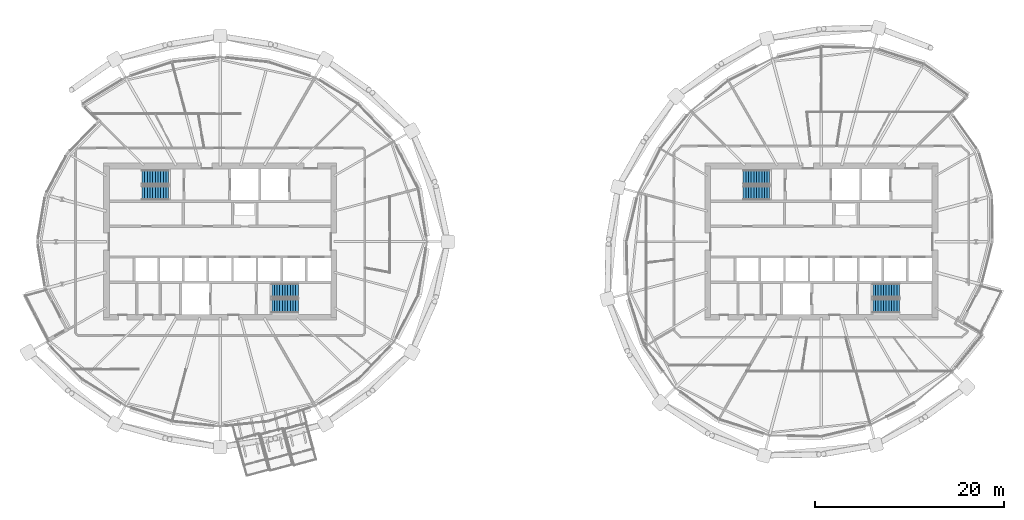
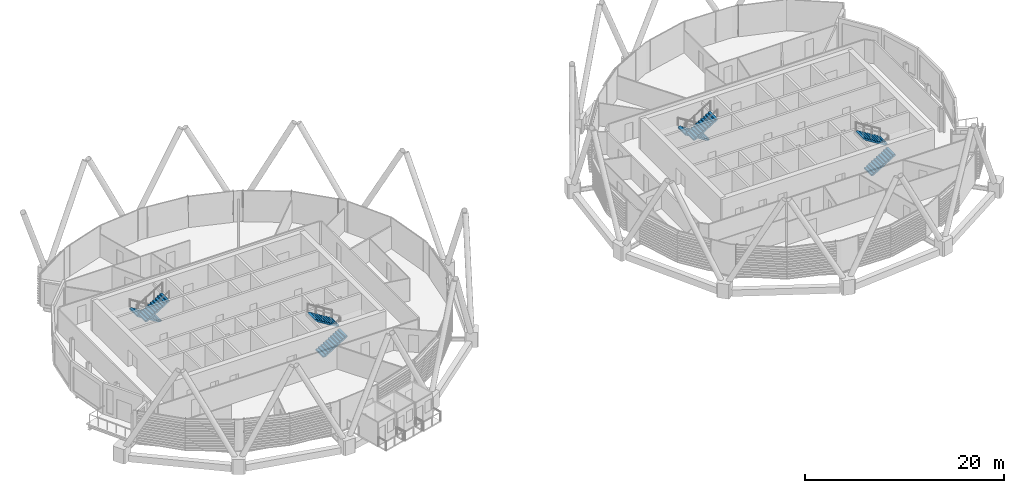
# One storey, part 29 of 35: 8 stair flights, 4 elements without a shape of their own.
"""IFC4 building model written with IfcOpenShell, lengths in metres."""

from ifc_helpers import new_model, si_unit, direction, frame, origin, place, context, subcontext, project, spatial, polyline, outline, extrude, material, type_object, element, aggregate, save


model = new_model("IFC4")

# Units and contexts
model_context = context("Model", 3, precision=1e-05, world=origin(), true_north=direction((0.0, 1.0)))
body_context = subcontext(model_context, "Body", "Model", "MODEL_VIEW")
ifc_project = project(units=[si_unit("LENGTHUNIT", "METRE"), si_unit("AREAUNIT", "SQUARE_METRE"), si_unit("VOLUMEUNIT", "CUBIC_METRE"), si_unit("PLANEANGLEUNIT", "RADIAN"), si_unit("MASSUNIT", "GRAM", prefix="KILO")], contexts=[model_context])

# Site, building, storey
site_placement = place(None, origin())
site = spatial("IfcSite", under=ifc_project, at=site_placement, CompositionType="ELEMENT")
building_placement = place(site_placement, origin())
building = spatial("IfcBuilding", under=site, at=building_placement, Name="Rimbun Link Towers", CompositionType="ELEMENT")
storey_placement = place(building_placement, frame((0.0, 0.0, 181.699951171875)))
storey = spatial("IfcBuildingStorey", under=building, at=storey_placement, Name="L44", CompositionType="ELEMENT", Elevation=181.699951171875)

# Stair, stair flights
ifc_material_1 = material(Name="Concrete C40/50", Category="concrete")
stair_type = type_object("IfcStairType", Name="Exit stair 3800 rise", PredefinedType="HALF_TURN_STAIR", material=ifc_material_1)
stair_1_placement = place(storey_placement, origin())
stair_1 = element("IfcStair", 1, at=stair_1_placement, inside=storey, type_object=stair_type, Name="L44 EXIT STAIR A", PredefinedType="HALF_TURN_STAIR")
ifc_material_2 = material(Name="Concrete C40/50", Category="concrete")
stair_flight_type = type_object("IfcStairFlightType", Name="Exit stair flight 3800 rise", PredefinedType="STRAIGHT", material=ifc_material_2)
stair_flight_1_placement = place(storey_placement, frame((-37.199951171875, 6.800048828125, 0.0), z_axis=(0.0, 0.0, 1.0), x_axis=(-1.0, 0.0, 0.0)))
stair_flight_1 = element("IfcStairFlight", 2, at=stair_flight_1_placement, type_object=stair_flight_type, Name="ST1 flight 1", NumberOfRisers=11, NumberOfTreads=10, PredefinedType="STRAIGHT", RiserHeight=0.172727273, TreadLength=0.28, context=body_context, shape_type="SweptSolid", body=[
    extrude(outline(polyline([(0.0, 0.0), (0.0, 0.172607421875), (0.280029296875, 0.172607421875), (0.280029296875, 0.345458984375), (0.56005859375, 0.345458984375), (0.56005859375, 0.51806640625), (0.840087890625, 0.51806640625), (0.840087890625, 0.69091796875), (1.1201171875, 0.69091796875), (1.1201171875, 0.863525390625), (1.39990234375, 0.863525390625), (1.39990234375, 1.036376953125), (1.679931640625, 1.036376953125), (1.679931640625, 1.208984375), (1.9599609375, 1.208984375), (1.9599609375, 1.3818359375), (2.239990234375, 1.3818359375), (2.239990234375, 1.554443359375), (2.52001953125, 1.554443359375), (2.52001953125, 1.727294921875), (2.800048828125, 1.727294921875), (2.800048828125, 1.89990234375), (2.800048828125, 1.551025390625), (0.280029296875, 0.0), (0.0, 0.0)])), frame((0.0, 0.75, 0.0), z_axis=(0.0, -1.0, 0.0), x_axis=(1.0, 0.0, 0.0)), (0.0, 0.0, 1.0), 1.5),
])
stair_flight_2_placement = place(storey_placement, frame((-40.0, 5.14990234375, 1.900146484375), z_axis=(0.0, 0.0, 1.0), x_axis=(1.0, 0.0, 0.0)))
stair_flight_2 = element("IfcStairFlight", 3, at=stair_flight_2_placement, type_object=stair_flight_type, Name="ST1 flight 2", NumberOfRisers=11, NumberOfTreads=10, PredefinedType="STRAIGHT", RiserHeight=0.172727273, TreadLength=0.28, context=body_context, shape_type="SweptSolid", body=[
    extrude(outline(polyline([(0.0, 0.0), (0.0, 0.172607421875), (0.280029296875, 0.172607421875), (0.280029296875, 0.345458984375), (0.56005859375, 0.345458984375), (0.56005859375, 0.51806640625), (0.840087890625, 0.51806640625), (0.840087890625, 0.69091796875), (1.1201171875, 0.69091796875), (1.1201171875, 0.863525390625), (1.39990234375, 0.863525390625), (1.39990234375, 1.036376953125), (1.679931640625, 1.036376953125), (1.679931640625, 1.208984375), (1.9599609375, 1.208984375), (1.9599609375, 1.3818359375), (2.239990234375, 1.3818359375), (2.239990234375, 1.554443359375), (2.52001953125, 1.554443359375), (2.52001953125, 1.727294921875), (2.800048828125, 1.727294921875), (2.800048828125, 1.89990234375), (2.800048828125, 1.551025390625), (0.280029296875, 0.0), (0.0, 0.0)])), frame((0.0, 0.75, 0.0), z_axis=(0.0, -1.0, 0.0), x_axis=(1.0, 0.0, 0.0)), (0.0, 0.0, 1.0), 1.5),
])
aggregate(stair_1, [stair_flight_1, stair_flight_2])

stair_2_placement = place(storey_placement, origin())
stair_2 = element("IfcStair", 4, at=stair_2_placement, inside=storey, type_object=stair_type, Name="L44 EXIT STAIR B", PredefinedType="HALF_TURN_STAIR")
stair_flight_3_placement = place(storey_placement, frame((-26.300048828125, -6.800048828125, 0.0), z_axis=(0.0, 0.0, 1.0), x_axis=(1.0, 0.0, 0.0)))
stair_flight_3 = element("IfcStairFlight", 5, at=stair_flight_3_placement, type_object=stair_flight_type, Name="ST2 flight 1", NumberOfRisers=11, NumberOfTreads=10, PredefinedType="STRAIGHT", RiserHeight=0.172727273, TreadLength=0.28, context=body_context, shape_type="SweptSolid", body=[
    extrude(outline(polyline([(0.0, 0.0), (0.0, 0.172607421875), (0.280029296875, 0.172607421875), (0.280029296875, 0.345458984375), (0.56005859375, 0.345458984375), (0.56005859375, 0.51806640625), (0.840087890625, 0.51806640625), (0.840087890625, 0.69091796875), (1.1201171875, 0.69091796875), (1.1201171875, 0.863525390625), (1.39990234375, 0.863525390625), (1.39990234375, 1.036376953125), (1.679931640625, 1.036376953125), (1.679931640625, 1.208984375), (1.9599609375, 1.208984375), (1.9599609375, 1.3818359375), (2.239990234375, 1.3818359375), (2.239990234375, 1.554443359375), (2.52001953125, 1.554443359375), (2.52001953125, 1.727294921875), (2.800048828125, 1.727294921875), (2.800048828125, 1.89990234375), (2.800048828125, 1.551025390625), (0.280029296875, 0.0), (0.0, 0.0)])), frame((0.0, 0.75, 0.0), z_axis=(0.0, -1.0, 0.0), x_axis=(1.0, 0.0, 0.0)), (0.0, 0.0, 1.0), 1.5),
])
stair_flight_4_placement = place(storey_placement, frame((-23.5, -5.14990234375, 1.900146484375), z_axis=(0.0, 0.0, 1.0), x_axis=(-1.0, 0.0, 0.0)))
stair_flight_4 = element("IfcStairFlight", 6, at=stair_flight_4_placement, type_object=stair_flight_type, Name="ST2 flight 2", NumberOfRisers=11, NumberOfTreads=10, PredefinedType="STRAIGHT", RiserHeight=0.172727273, TreadLength=0.28, context=body_context, shape_type="SweptSolid", body=[
    extrude(outline(polyline([(0.0, 0.0), (0.0, 0.172607421875), (0.280029296875, 0.172607421875), (0.280029296875, 0.345458984375), (0.56005859375, 0.345458984375), (0.56005859375, 0.51806640625), (0.840087890625, 0.51806640625), (0.840087890625, 0.69091796875), (1.1201171875, 0.69091796875), (1.1201171875, 0.863525390625), (1.39990234375, 0.863525390625), (1.39990234375, 1.036376953125), (1.679931640625, 1.036376953125), (1.679931640625, 1.208984375), (1.9599609375, 1.208984375), (1.9599609375, 1.3818359375), (2.239990234375, 1.3818359375), (2.239990234375, 1.554443359375), (2.52001953125, 1.554443359375), (2.52001953125, 1.727294921875), (2.800048828125, 1.727294921875), (2.800048828125, 1.89990234375), (2.800048828125, 1.551025390625), (0.280029296875, 0.0), (0.0, 0.0)])), frame((0.0, 0.75, 0.0), z_axis=(0.0, -1.0, 0.0), x_axis=(1.0, 0.0, 0.0)), (0.0, 0.0, 1.0), 1.5),
])
aggregate(stair_2, [stair_flight_3, stair_flight_4])

stair_3_placement = place(storey_placement, origin())
stair_3 = element("IfcStair", 7, at=stair_3_placement, inside=storey, type_object=stair_type, Name="L44 EXIT STAIR A", PredefinedType="HALF_TURN_STAIR")
stair_flight_5_placement = place(storey_placement, frame((26.300048828125, 6.800048828125, 0.0), z_axis=(0.0, 0.0, 1.0), x_axis=(-1.0, 0.0, 0.0)))
stair_flight_5 = element("IfcStairFlight", 8, at=stair_flight_5_placement, type_object=stair_flight_type, Name="ST3 flight 1", NumberOfRisers=11, NumberOfTreads=10, PredefinedType="STRAIGHT", RiserHeight=0.172727273, TreadLength=0.28, context=body_context, shape_type="SweptSolid", body=[
    extrude(outline(polyline([(0.0, 0.0), (0.0, 0.172607421875), (0.280029296875, 0.172607421875), (0.280029296875, 0.345458984375), (0.56005859375, 0.345458984375), (0.56005859375, 0.51806640625), (0.840087890625, 0.51806640625), (0.840087890625, 0.69091796875), (1.1201171875, 0.69091796875), (1.1201171875, 0.863525390625), (1.39990234375, 0.863525390625), (1.39990234375, 1.036376953125), (1.679931640625, 1.036376953125), (1.679931640625, 1.208984375), (1.9599609375, 1.208984375), (1.9599609375, 1.3818359375), (2.239990234375, 1.3818359375), (2.239990234375, 1.554443359375), (2.52001953125, 1.554443359375), (2.52001953125, 1.727294921875), (2.800048828125, 1.727294921875), (2.800048828125, 1.89990234375), (2.800048828125, 1.551025390625), (0.280029296875, 0.0), (0.0, 0.0)])), frame((0.0, 0.75, 0.0), z_axis=(0.0, -1.0, 0.0), x_axis=(1.0, 0.0, 0.0)), (0.0, 0.0, 1.0), 1.5),
])
stair_flight_6_placement = place(storey_placement, frame((23.5, 5.14990234375, 1.900146484375), z_axis=(0.0, 0.0, 1.0), x_axis=(1.0, 0.0, 0.0)))
stair_flight_6 = element("IfcStairFlight", 9, at=stair_flight_6_placement, type_object=stair_flight_type, Name="ST3 flight 2", NumberOfRisers=11, NumberOfTreads=10, PredefinedType="STRAIGHT", RiserHeight=0.172727273, TreadLength=0.28, context=body_context, shape_type="SweptSolid", body=[
    extrude(outline(polyline([(0.0, 0.0), (0.0, 0.172607421875), (0.280029296875, 0.172607421875), (0.280029296875, 0.345458984375), (0.56005859375, 0.345458984375), (0.56005859375, 0.51806640625), (0.840087890625, 0.51806640625), (0.840087890625, 0.69091796875), (1.1201171875, 0.69091796875), (1.1201171875, 0.863525390625), (1.39990234375, 0.863525390625), (1.39990234375, 1.036376953125), (1.679931640625, 1.036376953125), (1.679931640625, 1.208984375), (1.9599609375, 1.208984375), (1.9599609375, 1.3818359375), (2.239990234375, 1.3818359375), (2.239990234375, 1.554443359375), (2.52001953125, 1.554443359375), (2.52001953125, 1.727294921875), (2.800048828125, 1.727294921875), (2.800048828125, 1.89990234375), (2.800048828125, 1.551025390625), (0.280029296875, 0.0), (0.0, 0.0)])), frame((0.0, 0.75, 0.0), z_axis=(0.0, -1.0, 0.0), x_axis=(1.0, 0.0, 0.0)), (0.0, 0.0, 1.0), 1.5),
])
aggregate(stair_3, [stair_flight_5, stair_flight_6])

stair_4_placement = place(storey_placement, origin())
stair_4 = element("IfcStair", 10, at=stair_4_placement, inside=storey, type_object=stair_type, Name="L44 EXIT STAIR B", PredefinedType="HALF_TURN_STAIR")
stair_flight_7_placement = place(storey_placement, frame((37.199951171875, -6.800048828125, 0.0), z_axis=(0.0, 0.0, 1.0), x_axis=(1.0, 0.0, 0.0)))
stair_flight_7 = element("IfcStairFlight", 11, at=stair_flight_7_placement, type_object=stair_flight_type, Name="ST4 flight 1", NumberOfRisers=11, NumberOfTreads=10, PredefinedType="STRAIGHT", RiserHeight=0.172727273, TreadLength=0.28, context=body_context, shape_type="SweptSolid", body=[
    extrude(outline(polyline([(0.0, 0.0), (0.0, 0.172607421875), (0.280029296875, 0.172607421875), (0.280029296875, 0.345458984375), (0.56005859375, 0.345458984375), (0.56005859375, 0.51806640625), (0.840087890625, 0.51806640625), (0.840087890625, 0.69091796875), (1.1201171875, 0.69091796875), (1.1201171875, 0.863525390625), (1.39990234375, 0.863525390625), (1.39990234375, 1.036376953125), (1.679931640625, 1.036376953125), (1.679931640625, 1.208984375), (1.9599609375, 1.208984375), (1.9599609375, 1.3818359375), (2.239990234375, 1.3818359375), (2.239990234375, 1.554443359375), (2.52001953125, 1.554443359375), (2.52001953125, 1.727294921875), (2.800048828125, 1.727294921875), (2.800048828125, 1.89990234375), (2.800048828125, 1.551025390625), (0.280029296875, 0.0), (0.0, 0.0)])), frame((0.0, 0.75, 0.0), z_axis=(0.0, -1.0, 0.0), x_axis=(1.0, 0.0, 0.0)), (0.0, 0.0, 1.0), 1.5),
])
stair_flight_8_placement = place(storey_placement, frame((40.0, -5.14990234375, 1.900146484375), z_axis=(0.0, 0.0, 1.0), x_axis=(-1.0, 0.0, 0.0)))
stair_flight_8 = element("IfcStairFlight", 12, at=stair_flight_8_placement, type_object=stair_flight_type, Name="ST4 flight 2", NumberOfRisers=11, NumberOfTreads=10, PredefinedType="STRAIGHT", RiserHeight=0.172727273, TreadLength=0.28, context=body_context, shape_type="SweptSolid", body=[
    extrude(outline(polyline([(0.0, 0.0), (0.0, 0.172607421875), (0.280029296875, 0.172607421875), (0.280029296875, 0.345458984375), (0.56005859375, 0.345458984375), (0.56005859375, 0.51806640625), (0.840087890625, 0.51806640625), (0.840087890625, 0.69091796875), (1.1201171875, 0.69091796875), (1.1201171875, 0.863525390625), (1.39990234375, 0.863525390625), (1.39990234375, 1.036376953125), (1.679931640625, 1.036376953125), (1.679931640625, 1.208984375), (1.9599609375, 1.208984375), (1.9599609375, 1.3818359375), (2.239990234375, 1.3818359375), (2.239990234375, 1.554443359375), (2.52001953125, 1.554443359375), (2.52001953125, 1.727294921875), (2.800048828125, 1.727294921875), (2.800048828125, 1.89990234375), (2.800048828125, 1.551025390625), (0.280029296875, 0.0), (0.0, 0.0)])), frame((0.0, 0.75, 0.0), z_axis=(0.0, -1.0, 0.0), x_axis=(1.0, 0.0, 0.0)), (0.0, 0.0, 1.0), 1.5),
])
aggregate(stair_4, [stair_flight_7, stair_flight_8])

save(model, "model.ifc")
